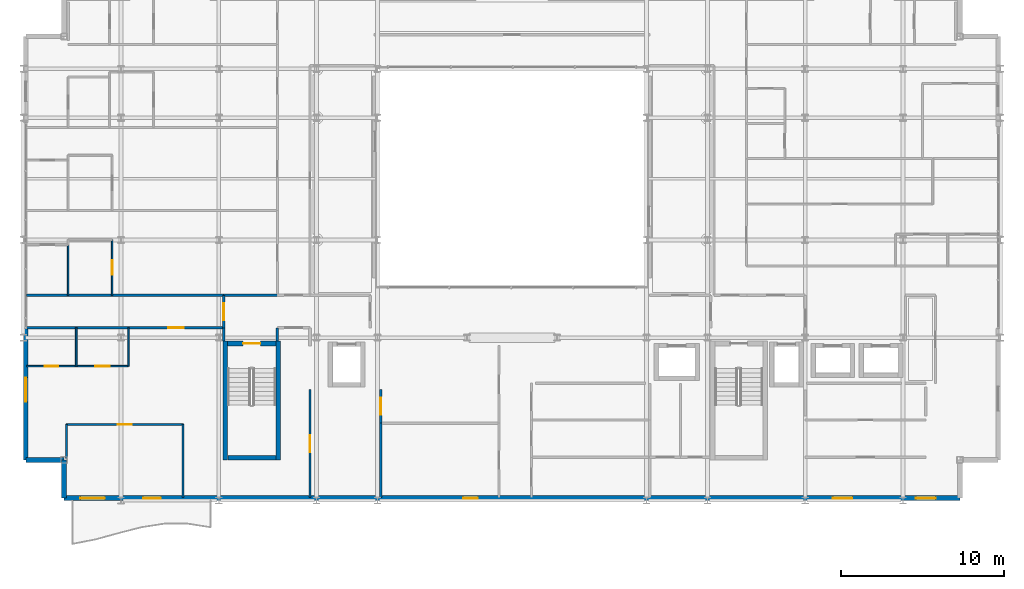
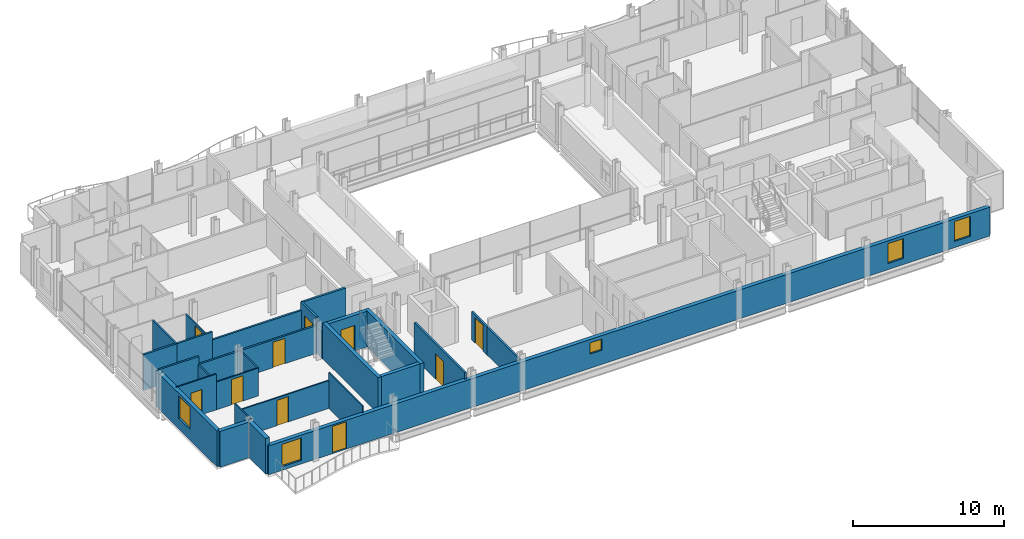
# One storey, part 33 of 41: 30 walls, 10 doors, 5 windows, 15 openings.
"""IFC4 building model written with IfcOpenShell, lengths in metres."""

from ifc_helpers import new_model, si_unit, direction, frame, frame_2d, origin, place, context, subcontext, project, spatial, rectangle, extrude, material, layer, layer_set, type_object, element, fill, save


model = new_model("IFC4")

# Units and contexts
model_context = context("Model", 3, precision=1e-05, world=origin(), true_north=direction((0.0, 1.0)))
body_context = subcontext(model_context, "Body", "Model", "MODEL_VIEW")
ifc_project = project(units=[si_unit("LENGTHUNIT", "METRE"), si_unit("AREAUNIT", "SQUARE_METRE"), si_unit("VOLUMEUNIT", "CUBIC_METRE"), si_unit("PLANEANGLEUNIT", "RADIAN"), si_unit("MASSUNIT", "GRAM", prefix="KILO")], contexts=[model_context])

# Site, building, storey
site_placement = place(None, origin())
site = spatial("IfcSite", under=ifc_project, at=site_placement, CompositionType="ELEMENT")
building_placement = place(site_placement, origin())
building = spatial("IfcBuilding", under=site, at=building_placement, Name="Brevholm Reach", CompositionType="ELEMENT")
storey_placement = place(building_placement, frame((0.0, 0.0, 151.10009765625)))
storey = spatial("IfcBuildingStorey", under=building, at=storey_placement, Name="L45", CompositionType="ELEMENT", Elevation=151.10009765625)

# Walls
ifc_material_1 = material(Name="Concrete C50/60", Category="concrete")
ifc_layer_1 = layer(ifc_material_1, 0.280029296875)
ifc_layer_set_1 = layer_set([ifc_layer_1], Name="Concrete C50/60")
wall_type_1 = type_object("IfcWallType", Name="WAL-COR-280", PredefinedType="SHEAR", material=ifc_layer_set_1)
for number, where, z_axis, x_axis, name in (
    (1, (12.409912109375, 2.5, 0.0), (0.0, 0.0, 1.0), (0.0, 1.0, 0.0), "L45 Escape Stair ST-1 Core Wall W"),
    (2, (15.639892578125, 2.5, 0.0), (0.0, 0.0, 1.0), (0.0, 1.0, 0.0), "L45 Escape Stair ST-1 Core Wall E"),
):
    element("IfcWall", number, at=place(storey_placement, frame(where, z_axis=z_axis, x_axis=x_axis)), inside=storey, type_object=wall_type_1, Name=name, PredefinedType="SHEAR", context=body_context, shape_type="SweptSolid", body=[
        extrude(rectangle(XDim=7.280029296875, YDim=0.280029296875, at=frame_2d((3.64013671875, 0.0))), origin(), (0.0, 0.0, 1.0), 2.8798828125),
    ])
wall_1_placement = place(storey_placement, frame((12.550048828125, 2.639892578125, 0.0), z_axis=(0.0, 0.0, 1.0), x_axis=(1.0, 0.0, 0.0)))
element("IfcWall", 3, at=wall_1_placement, inside=storey, type_object=wall_type_1, Name="L45 Escape Stair ST-1 Core Wall S", PredefinedType="SHEAR", context=body_context, shape_type="SweptSolid", body=[
    extrude(rectangle(XDim=2.949951171875, YDim=0.280029296875, at=frame_2d((1.47509765625, 0.0))), origin(), (0.0, 0.0, 1.0), 2.8798828125),
])

# Wall, opening, door
wall_2_placement = place(storey_placement, frame((15.5, 9.639892578125, 0.0), z_axis=(0.0, 0.0, 1.0), x_axis=(-1.0, 0.0, 0.0)))
wall_2 = element("IfcWall", 4, at=wall_2_placement, inside=storey, type_object=wall_type_1, Name="L45 Escape Stair ST-1 Core Wall N", PredefinedType="SHEAR", context=body_context, shape_type="SweptSolid", body=[
    extrude(rectangle(XDim=2.949951171875, YDim=0.280029296875, at=frame_2d((1.47509765625, 0.0))), origin(), (0.0, 0.0, 1.0), 2.8798828125),
])
opening_1_placement = place(wall_2_placement, frame((0.949951171875, 0.0, 0.0)))
opening_1 = element("IfcOpeningElement", 5, at=opening_1_placement, cuts=wall_2, Name="Opening SD-ST-1", PredefinedType="OPENING", context=body_context, shape_type="SweptSolid", body=[
    extrude(rectangle(XDim=1.050048828125, YDim=2.06005859375, at=frame_2d((0.52490234375, 1.030029296875))), frame((0.0, 0.14990234375, 0.0), z_axis=(0.0, -1.0, 0.0), x_axis=(1.0, 0.0, 0.0)), (0.0, 0.0, 1.0), 0.300048828125),
])
ifc_material_2 = material(Name="Hardwood-Lipped Steel-Core Fire and Smoke Door", Category="steel")
door_type_1 = type_object("IfcDoorType", Name="DOR-INT-FD60S", OperationType="NOTDEFINED", PredefinedType="DOOR", material=ifc_material_2)
door_1_placement = place(opening_1_placement, origin())
door_1 = element("IfcDoor", 6, at=door_1_placement, inside=storey, type_object=door_type_1, Name="L45 Protected Stair ST-1 Lobby Door", OperationType="SINGLE_SWING_LEFT", OverallHeight=2.06005859375, OverallWidth=1.050048828125, PredefinedType="DOOR", context=body_context, shape_type="SweptSolid", body=[
    extrude(rectangle(XDim=1.050048828125, YDim=2.06005859375, at=frame_2d((0.52490234375, 1.030029296875))), frame((0.0, 0.02490234375, 0.0), z_axis=(0.0, -1.0, 0.0), x_axis=(1.0, 0.0, 0.0)), (0.0, 0.0, 1.0), 0.050048828125),
])
fill(opening_1, door_1)

# Walls
ifc_material_3 = material(Name="Concrete C40/50", Category="concrete")
ifc_layer_2 = layer(ifc_material_3, 0.300048828125)
ifc_layer_set_2 = layer_set([ifc_layer_2], Name="Concrete C40/50")
wall_type_2 = type_object("IfcWallType", Name="WAL-EXT-300", PredefinedType="STANDARD", material=ifc_layer_set_2)
for number, where, z_axis, x_axis, name in (
    (7, (2.5, 2.5, 0.0), (0.0, 0.0, 1.0), (0.0, -1.0, 0.0), "L45 Facade Wall WAL-L45-CSW1"),
    (8, (0.14990234375, 2.5, 0.0), (0.0, 0.0, 1.0), (1.0, 0.0, 0.0), "L45 Facade Wall WAL-L45-CSW2"),
):
    element("IfcWall", number, at=place(storey_placement, frame(where, z_axis=z_axis, x_axis=x_axis)), inside=storey, type_object=wall_type_2, Name=name, PredefinedType="STANDARD", context=body_context, shape_type="SweptSolid", body=[
        extrude(rectangle(XDim=2.35009765625, YDim=0.300048828125, at=frame_2d((1.175048828125, 0.0))), origin(), (0.0, 0.0, 1.0), 2.8798828125),
    ])

# Wall, openings, door, windows
wall_3_placement = place(storey_placement, frame((2.5, 0.14990234375, 0.0), z_axis=(0.0, 0.0, 1.0), x_axis=(1.0, 0.0, 0.0)))
wall_3 = element("IfcWall", 9, at=wall_3_placement, inside=storey, type_object=wall_type_2, Name="L45 Facade Wall WAL-L45-S", PredefinedType="STANDARD", context=body_context, shape_type="SweptSolid", body=[
    extrude(rectangle(XDim=55.0, YDim=0.300048828125, at=frame_2d((27.5, 0.0))), origin(), (0.0, 0.0, 1.0), 2.32177734375),
])
opening_2_placement = place(wall_3_placement, frame((4.85009765625, 0.0, 0.0)))
opening_2 = element("IfcOpeningElement", 10, at=opening_2_placement, cuts=wall_3, Name="Opening BD-01", PredefinedType="OPENING", context=body_context, shape_type="SweptSolid", body=[
    extrude(rectangle(XDim=1.10009765625, YDim=2.199951171875, at=frame_2d((0.550048828125, 1.10009765625))), frame((0.0, 0.159912109375, 0.0), z_axis=(0.0, -1.0, 0.0), x_axis=(1.0, 0.0, 0.0)), (0.0, 0.0, 1.0), 0.320068359375),
])
opening_3_placement = place(wall_3_placement, frame((1.0, 0.0, 0.302001953125)))
opening_3 = element("IfcOpeningElement", 11, at=opening_3_placement, cuts=wall_3, Name="Opening WN-05", PredefinedType="OPENING", context=body_context, shape_type="SweptSolid", body=[
    extrude(rectangle(XDim=1.5, YDim=1.800048828125, at=frame_2d((0.75, 0.89990234375))), frame((0.0, 0.159912109375, 0.0), z_axis=(0.0, -1.0, 0.0), x_axis=(1.0, 0.0, 0.0)), (0.0, 0.0, 1.0), 0.320068359375),
])
opening_4_placement = place(wall_3_placement, frame((24.5, 0.0, 1.14990234375)))
opening_4 = element("IfcOpeningElement", 12, at=opening_4_placement, cuts=wall_3, Name="Opening WN-09", PredefinedType="OPENING", context=body_context, shape_type="SweptSolid", body=[
    extrude(rectangle(XDim=0.89990234375, YDim=0.89990234375, at=frame_2d((0.449951171875, 0.449951171875))), frame((0.0, 0.159912109375, 0.0), z_axis=(0.0, -1.0, 0.0), x_axis=(1.0, 0.0, 0.0)), (0.0, 0.0, 1.0), 0.320068359375),
])
opening_5_placement = place(wall_3_placement, frame((47.199951171875, 0.0, 0.501953125)))
opening_5 = element("IfcOpeningElement", 13, at=opening_5_placement, cuts=wall_3, Name="Opening WN-08", PredefinedType="OPENING", context=body_context, shape_type="SweptSolid", body=[
    extrude(rectangle(XDim=1.199951171875, YDim=1.60009765625, at=frame_2d((0.60009765625, 0.800048828125))), frame((0.0, 0.159912109375, 0.0), z_axis=(0.0, -1.0, 0.0), x_axis=(1.0, 0.0, 0.0)), (0.0, 0.0, 1.0), 0.320068359375),
])
opening_6_placement = place(wall_3_placement, frame((52.300048828125, 0.0, 0.501953125)))
opening_6 = element("IfcOpeningElement", 14, at=opening_6_placement, cuts=wall_3, Name="Opening WN-08", PredefinedType="OPENING", context=body_context, shape_type="SweptSolid", body=[
    extrude(rectangle(XDim=1.199951171875, YDim=1.60009765625, at=frame_2d((0.60009765625, 0.800048828125))), frame((0.0, 0.159912109375, 0.0), z_axis=(0.0, -1.0, 0.0), x_axis=(1.0, 0.0, 0.0)), (0.0, 0.0, 1.0), 0.320068359375),
])
ifc_material_4 = material(Name="Dark Anodised Aluminium and Triple-Glazed Glass", Category="aluminium")
door_type_2 = type_object("IfcDoorType", Name="DOR-BALC-1100", OperationType="NOTDEFINED", PredefinedType="DOOR", material=ifc_material_4)
door_2_placement = place(opening_2_placement, origin())
door_2 = element("IfcDoor", 15, at=door_2_placement, inside=storey, type_object=door_type_2, Name="L45 Exterior Door DOR-L45-BL-SW", OperationType="SINGLE_SWING_LEFT", OverallHeight=2.199951171875, OverallWidth=1.10009765625, PredefinedType="DOOR", context=body_context, shape_type="SweptSolid", body=[
    extrude(rectangle(XDim=1.10009765625, YDim=2.199951171875, at=frame_2d((0.550048828125, 1.10009765625))), frame((0.0, 0.02490234375, 0.0), z_axis=(0.0, -1.0, 0.0), x_axis=(1.0, 0.0, 0.0)), (0.0, 0.0, 1.0), 0.050048828125),
])
fill(opening_2, door_2)
ifc_material_5 = material(Name="Dark Anodised Aluminium and Solar-Control IGU Glass", Category="aluminium")
window_type_1 = type_object("IfcWindowType", Name="WIN-POR-0900", PartitioningType="SINGLE_PANEL", PredefinedType="WINDOW", material=ifc_material_5)
window_1_placement = place(opening_4_placement, origin())
window_1 = element("IfcWindow", 16, at=window_1_placement, inside=storey, type_object=window_type_1, Name="L45 Window WIN-L45-S-POR", OverallHeight=0.89990234375, OverallWidth=0.89990234375, PartitioningType="SINGLE_PANEL", PredefinedType="WINDOW", context=body_context, shape_type="SweptSolid", body=[
    extrude(rectangle(XDim=0.89990234375, YDim=0.89990234375, at=frame_2d((0.449951171875, 0.449951171875))), frame((0.0, 0.030029296875, 0.0), z_axis=(0.0, -1.0, 0.0), x_axis=(1.0, 0.0, 0.0)), (0.0, 0.0, 1.0), 0.06005859375),
])
fill(opening_4, window_1)
ifc_material_6 = material(Name="Dark Anodised Aluminium and Solar-Control IGU Glass", Category="aluminium")
window_type_2 = type_object("IfcWindowType", Name="WIN-RES-1200", PartitioningType="SINGLE_PANEL", PredefinedType="WINDOW", material=ifc_material_6)
window_2_placement = place(opening_5_placement, origin())
window_2 = element("IfcWindow", 17, at=window_2_placement, inside=storey, type_object=window_type_2, Name="L45 Window WIN-L45-S-E1", OverallHeight=1.60009765625, OverallWidth=1.199951171875, PartitioningType="SINGLE_PANEL", PredefinedType="WINDOW", context=body_context, shape_type="SweptSolid", body=[
    extrude(rectangle(XDim=1.199951171875, YDim=1.60009765625, at=frame_2d((0.60009765625, 0.800048828125))), frame((0.0, 0.030029296875, 0.0), z_axis=(0.0, -1.0, 0.0), x_axis=(1.0, 0.0, 0.0)), (0.0, 0.0, 1.0), 0.06005859375),
])
fill(opening_5, window_2)
window_3_placement = place(opening_6_placement, origin())
window_3 = element("IfcWindow", 18, at=window_3_placement, inside=storey, type_object=window_type_2, Name="L45 Window WIN-L45-S-E2", OverallHeight=1.60009765625, OverallWidth=1.199951171875, PartitioningType="SINGLE_PANEL", PredefinedType="WINDOW", context=body_context, shape_type="SweptSolid", body=[
    extrude(rectangle(XDim=1.199951171875, YDim=1.60009765625, at=frame_2d((0.60009765625, 0.800048828125))), frame((0.0, 0.030029296875, 0.0), z_axis=(0.0, -1.0, 0.0), x_axis=(1.0, 0.0, 0.0)), (0.0, 0.0, 1.0), 0.06005859375),
])
fill(opening_6, window_3)
ifc_material_7 = material(Name="Dark Anodised Aluminium and Solar-Control IGU Glass", Category="aluminium")
window_type_3 = type_object("IfcWindowType", Name="WIN-RES-1500", PartitioningType="SINGLE_PANEL", PredefinedType="WINDOW", material=ifc_material_7)
window_4_placement = place(opening_3_placement, origin())
window_4 = element("IfcWindow", 19, at=window_4_placement, inside=storey, type_object=window_type_3, Name="L45 Window WIN-L45-S-W1", OverallHeight=1.800048828125, OverallWidth=1.5, PartitioningType="SINGLE_PANEL", PredefinedType="WINDOW", context=body_context, shape_type="SweptSolid", body=[
    extrude(rectangle(XDim=1.5, YDim=1.800048828125, at=frame_2d((0.75, 0.89990234375))), frame((0.0, 0.030029296875, 0.0), z_axis=(0.0, -1.0, 0.0), x_axis=(1.0, 0.0, 0.0)), (0.0, 0.0, 1.0), 0.06005859375),
])
fill(opening_3, window_4)

# Wall, opening, window
wall_4_placement = place(storey_placement, frame((0.14990234375, 10.550048828125, 0.0), z_axis=(0.0, 0.0, 1.0), x_axis=(0.0, -1.0, 0.0)))
wall_4 = element("IfcWall", 20, at=wall_4_placement, inside=storey, type_object=wall_type_2, Name="L45 Facade Wall WAL-L45-W-S", PredefinedType="STANDARD", context=body_context, shape_type="SweptSolid", body=[
    extrude(rectangle(XDim=8.050048828125, YDim=0.300048828125, at=frame_2d((4.02490234375, 0.0))), origin(), (0.0, 0.0, 1.0), 2.8798828125),
])
opening_7_placement = place(wall_4_placement, frame((3.0, 0.0, 0.860107421875)))
opening_7 = element("IfcOpeningElement", 21, at=opening_7_placement, cuts=wall_4, Name="Opening WN-05", PredefinedType="OPENING", context=body_context, shape_type="SweptSolid", body=[
    extrude(rectangle(XDim=1.5, YDim=1.800048828125, at=frame_2d((0.75, 0.89990234375))), frame((0.0, 0.159912109375, 0.0), z_axis=(0.0, -1.0, 0.0), x_axis=(1.0, 0.0, 0.0)), (0.0, 0.0, 1.0), 0.320068359375),
])
window_5_placement = place(opening_7_placement, origin())
window_5 = element("IfcWindow", 22, at=window_5_placement, inside=storey, type_object=window_type_3, Name="L45 Window WIN-L45-WS-1", OverallHeight=1.800048828125, OverallWidth=1.5, PartitioningType="SINGLE_PANEL", PredefinedType="WINDOW", context=body_context, shape_type="SweptSolid", body=[
    extrude(rectangle(XDim=1.5, YDim=1.800048828125, at=frame_2d((0.75, 0.89990234375))), frame((0.0, 0.030029296875, 0.0), z_axis=(0.0, -1.0, 0.0), x_axis=(1.0, 0.0, 0.0)), (0.0, 0.0, 1.0), 0.06005859375),
])
fill(opening_7, window_5)

# Wall
ifc_material_8 = material(Name="Moisture-Resistant Acoustic Gypsum Stud Partition 100 mm", Category="gypsum")
ifc_layer_3 = layer(ifc_material_8, 0.10009765625)
ifc_layer_set_3 = layer_set([ifc_layer_3], Name="Moisture-Resistant Acoustic Gypsum Stud Partition 100 mm")
wall_type_3 = type_object("IfcWallType", Name="WAL-PRT-100", PredefinedType="PARTITIONING", material=ifc_layer_set_3)
wall_5_placement = place(storey_placement, frame((3.25, 8.25, 0.0), z_axis=(0.0, 0.0, 1.0), x_axis=(0.0, 1.0, 0.0)))
element("IfcWall", 23, at=wall_5_placement, inside=storey, type_object=wall_type_3, Name="L45 Internal Partition 062", PredefinedType="PARTITIONING", context=body_context, shape_type="SweptSolid", body=[
    extrude(rectangle(XDim=2.345947265625, YDim=0.10009765625, at=frame_2d((1.1728515625, 0.0))), origin(), (0.0, 0.0, 1.0), 2.24267578125),
])

# Wall, opening, door
wall_6_placement = place(storey_placement, frame((0.199951171875, 8.25, 0.0), z_axis=(0.0, 0.0, 1.0), x_axis=(1.0, 0.0, 0.0)))
wall_6 = element("IfcWall", 24, at=wall_6_placement, inside=storey, type_object=wall_type_3, Name="L45 Internal Partition 063", PredefinedType="PARTITIONING", context=body_context, shape_type="SweptSolid", body=[
    extrude(rectangle(XDim=3.050048828125, YDim=0.10009765625, at=frame_2d((1.52490234375, 0.0))), origin(), (0.0, 0.0, 1.0), 2.8798828125),
])
opening_8_placement = place(wall_6_placement, frame((1.114990234375, 0.0, 0.0)))
opening_8 = element("IfcOpeningElement", 25, at=opening_8_placement, cuts=wall_6, Name="Opening ID-03", PredefinedType="OPENING", context=body_context, shape_type="SweptSolid", body=[
    extrude(rectangle(XDim=0.820068359375, YDim=2.02001953125, at=frame_2d((0.41015625, 1.010009765625))), frame((0.0, 0.06005859375, 0.0), z_axis=(0.0, -1.0, 0.0), x_axis=(1.0, 0.0, 0.0)), (0.0, 0.0, 1.0), 0.1201171875),
])
ifc_material_9 = material(Name="Moisture-Resistant Painted Timber Internal Bathroom Door", Category="wood")
door_type_3 = type_object("IfcDoorType", Name="DOR-BATH-820", OperationType="NOTDEFINED", PredefinedType="DOOR", material=ifc_material_9)
door_3_placement = place(opening_8_placement, origin())
door_3 = element("IfcDoor", 26, at=door_3_placement, inside=storey, type_object=door_type_3, Name="L45 Internal Door 031", OperationType="SINGLE_SWING_LEFT", OverallHeight=2.02001953125, OverallWidth=0.820068359375, PredefinedType="DOOR", context=body_context, shape_type="SweptSolid", body=[
    extrude(rectangle(XDim=0.820068359375, YDim=2.02001953125, at=frame_2d((0.41015625, 1.010009765625))), frame((0.0, 0.02490234375, 0.0), z_axis=(0.0, -1.0, 0.0), x_axis=(1.0, 0.0, 0.0)), (0.0, 0.0, 1.0), 0.050048828125),
])
fill(opening_8, door_3)

wall_7_placement = place(storey_placement, frame((3.25390625, 8.25, 0.0), z_axis=(0.0, 0.0, 1.0), x_axis=(1.0, 0.0, 0.0)))
wall_7 = element("IfcWall", 27, at=wall_7_placement, inside=storey, type_object=wall_type_3, Name="L45 Internal Partition 064", PredefinedType="PARTITIONING", context=body_context, shape_type="SweptSolid", body=[
    extrude(rectangle(XDim=3.196044921875, YDim=0.10009765625, at=frame_2d((1.59814453125, 0.0))), origin(), (0.0, 0.0, 1.0), 2.24267578125),
])
opening_9_placement = place(wall_7_placement, frame((1.157958984375, 0.0, 0.0)))
opening_9 = element("IfcOpeningElement", 28, at=opening_9_placement, cuts=wall_7, Name="Opening ID-01", PredefinedType="OPENING", context=body_context, shape_type="SweptSolid", body=[
    extrude(rectangle(XDim=0.8798828125, YDim=2.0400390625, at=frame_2d((0.43994140625, 1.02001953125))), frame((0.0, 0.06005859375, 0.0), z_axis=(0.0, -1.0, 0.0), x_axis=(1.0, 0.0, 0.0)), (0.0, 0.0, 1.0), 0.1201171875),
])
ifc_material_10 = material(Name="Lacquered Ash Solid-Core Acoustic Internal Door", Category="timber")
door_type_4 = type_object("IfcDoorType", Name="DOR-INT-880", OperationType="NOTDEFINED", PredefinedType="DOOR", material=ifc_material_10)
door_4_placement = place(opening_9_placement, origin())
door_4 = element("IfcDoor", 29, at=door_4_placement, inside=storey, type_object=door_type_4, Name="L45 Internal Door 032", OperationType="SINGLE_SWING_RIGHT", OverallHeight=2.0400390625, OverallWidth=0.8798828125, PredefinedType="DOOR", context=body_context, shape_type="SweptSolid", body=[
    extrude(rectangle(XDim=0.8798828125, YDim=2.0400390625, at=frame_2d((0.43994140625, 1.02001953125))), frame((0.0, 0.02490234375, 0.0), z_axis=(0.0, -1.0, 0.0), x_axis=(1.0, 0.0, 0.0)), (0.0, 0.0, 1.0), 0.050048828125),
])
fill(opening_9, door_4)

# Walls
wall_8_placement = place(storey_placement, frame((6.449951171875, 8.25, 0.0), z_axis=(0.0, 0.0, 1.0), x_axis=(0.0, 1.0, 0.0)))
element("IfcWall", 30, at=wall_8_placement, inside=storey, type_object=wall_type_3, Name="L45 Internal Partition 065", PredefinedType="PARTITIONING", context=body_context, shape_type="SweptSolid", body=[
    extrude(rectangle(XDim=2.345947265625, YDim=0.10009765625, at=frame_2d((1.1728515625, 0.0))), origin(), (0.0, 0.0, 1.0), 2.24267578125),
])
wall_9_placement = place(storey_placement, frame((2.64990234375, 2.599365234375, 0.0), z_axis=(0.0, 0.0, 1.0), x_axis=(0.0, 1.0, 0.0)))
element("IfcWall", 31, at=wall_9_placement, inside=storey, type_object=wall_type_3, Name="L45 Internal Partition 066", PredefinedType="PARTITIONING", context=body_context, shape_type="SweptSolid", body=[
    extrude(rectangle(XDim=2.07275390625, YDim=0.10009765625, at=frame_2d((1.036376953125, 0.0))), origin(), (0.0, 0.0, 1.0), 2.8798828125),
])
wall_10_placement = place(storey_placement, frame((9.805908203125, 0.199951171875, 0.0), z_axis=(0.0, 0.0, 1.0), x_axis=(0.0, 1.0, 0.0)))
element("IfcWall", 32, at=wall_10_placement, inside=storey, type_object=wall_type_3, Name="L45 Internal Partition 067", PredefinedType="PARTITIONING", context=body_context, shape_type="SweptSolid", body=[
    extrude(rectangle(XDim=4.47216796875, YDim=0.10009765625, at=frame_2d((2.236083984375, 0.0))), origin(), (0.0, 0.0, 1.0), 2.8798828125),
])

# Wall, opening, door
wall_11_placement = place(storey_placement, frame((2.64990234375, 4.672119140625, 0.0), z_axis=(0.0, 0.0, 1.0), x_axis=(1.0, 0.0, 0.0)))
wall_11 = element("IfcWall", 33, at=wall_11_placement, inside=storey, type_object=wall_type_3, Name="L45 Internal Partition 068", PredefinedType="PARTITIONING", context=body_context, shape_type="SweptSolid", body=[
    extrude(rectangle(XDim=7.156005859375, YDim=0.10009765625, at=frame_2d((3.578125, 0.0))), origin(), (0.0, 0.0, 1.0), 2.24267578125),
])
opening_10_placement = place(wall_11_placement, frame((3.137939453125, 0.0, 0.0)))
opening_10 = element("IfcOpeningElement", 34, at=opening_10_placement, cuts=wall_11, Name="Opening ID-01", PredefinedType="OPENING", context=body_context, shape_type="SweptSolid", body=[
    extrude(rectangle(XDim=0.8798828125, YDim=2.0400390625, at=frame_2d((0.43994140625, 1.02001953125))), frame((0.0, 0.06005859375, 0.0), z_axis=(0.0, -1.0, 0.0), x_axis=(1.0, 0.0, 0.0)), (0.0, 0.0, 1.0), 0.1201171875),
])
door_5_placement = place(opening_10_placement, origin())
door_5 = element("IfcDoor", 35, at=door_5_placement, inside=storey, type_object=door_type_4, Name="L45 Internal Door 033", OperationType="SINGLE_SWING_LEFT", OverallHeight=2.0400390625, OverallWidth=0.8798828125, PredefinedType="DOOR", context=body_context, shape_type="SweptSolid", body=[
    extrude(rectangle(XDim=0.8798828125, YDim=2.0400390625, at=frame_2d((0.43994140625, 1.02001953125))), frame((0.0, 0.02490234375, 0.0), z_axis=(0.0, -1.0, 0.0), x_axis=(1.0, 0.0, 0.0)), (0.0, 0.0, 1.0), 0.050048828125),
])
fill(opening_10, door_5)

# Wall
wall_12_placement = place(storey_placement, frame((2.75, 12.60400390625, 0.0), z_axis=(0.0, 0.0, 1.0), x_axis=(0.0, 1.0, 0.0)))
element("IfcWall", 36, at=wall_12_placement, inside=storey, type_object=wall_type_3, Name="L45 Internal Partition 069", PredefinedType="PARTITIONING", context=body_context, shape_type="SweptSolid", body=[
    extrude(rectangle(XDim=3.095947265625, YDim=0.10009765625, at=frame_2d((1.5478515625, 0.0))), origin(), (0.0, 0.0, 1.0), 2.8798828125),
])

# Wall, opening, door
wall_13_placement = place(storey_placement, frame((5.449951171875, 12.60400390625, 0.0), z_axis=(0.0, 0.0, 1.0), x_axis=(0.0, 1.0, 0.0)))
wall_13 = element("IfcWall", 37, at=wall_13_placement, inside=storey, type_object=wall_type_3, Name="L45 Internal Partition 071", PredefinedType="PARTITIONING", context=body_context, shape_type="SweptSolid", body=[
    extrude(rectangle(XDim=3.39599609375, YDim=0.10009765625, at=frame_2d((1.697998046875, 0.0))), origin(), (0.0, 0.0, 1.0), 2.24267578125),
])
opening_11_placement = place(wall_13_placement, frame((1.258056640625, 0.0, 0.0)))
opening_11 = element("IfcOpeningElement", 38, at=opening_11_placement, cuts=wall_13, Name="Opening ID-01", PredefinedType="OPENING", context=body_context, shape_type="SweptSolid", body=[
    extrude(rectangle(XDim=0.8798828125, YDim=2.0400390625, at=frame_2d((0.43994140625, 1.02001953125))), frame((0.0, 0.06005859375, 0.0), z_axis=(0.0, -1.0, 0.0), x_axis=(1.0, 0.0, 0.0)), (0.0, 0.0, 1.0), 0.1201171875),
])
door_6_placement = place(opening_11_placement, origin())
door_6 = element("IfcDoor", 39, at=door_6_placement, inside=storey, type_object=door_type_4, Name="L45 Internal Door 035", OperationType="SINGLE_SWING_LEFT", OverallHeight=2.0400390625, OverallWidth=0.8798828125, PredefinedType="DOOR", context=body_context, shape_type="SweptSolid", body=[
    extrude(rectangle(XDim=0.8798828125, YDim=2.0400390625, at=frame_2d((0.43994140625, 1.02001953125))), frame((0.0, 0.02490234375, 0.0), z_axis=(0.0, -1.0, 0.0), x_axis=(1.0, 0.0, 0.0)), (0.0, 0.0, 1.0), 0.050048828125),
])
fill(opening_11, door_6)

# Wall
ifc_material_11 = material(Name="Twin-Stud Acoustic Fire-Rated Gypsum Partition 140 mm", Category="gypsum")
ifc_layer_4 = layer(ifc_material_11, 0.139892578125)
ifc_layer_set_4 = layer_set([ifc_layer_4], Name="Twin-Stud Acoustic Fire-Rated Gypsum Partition 140 mm")
wall_type_4 = type_object("IfcWallType", Name="WAL-PRT-140", PredefinedType="PARTITIONING", material=ifc_layer_set_4)
wall_14_placement = place(storey_placement, frame((21.949951171875, 0.179931640625, 0.0), z_axis=(0.0, 0.0, 1.0), x_axis=(0.0, 1.0, 0.0)))
element("IfcWall", 40, at=wall_14_placement, inside=storey, type_object=wall_type_4, Name="L45 Internal Partition 007", PredefinedType="PARTITIONING", context=body_context, shape_type="SweptSolid", body=[
    extrude(rectangle(XDim=4.567138671875, YDim=0.139892578125, at=frame_2d((2.28369140625, 0.0))), origin(), (0.0, 0.0, 1.0), 2.24267578125),
])

# Wall, opening, door
wall_15_placement = place(storey_placement, frame((21.949951171875, 4.7509765625, 0.0), z_axis=(0.0, 0.0, 1.0), x_axis=(0.0, 1.0, 0.0)))
wall_15 = element("IfcWall", 41, at=wall_15_placement, inside=storey, type_object=wall_type_4, Name="L45 Internal Partition 008", PredefinedType="PARTITIONING", context=body_context, shape_type="SweptSolid", body=[
    extrude(rectangle(XDim=2.060302734375, YDim=0.139892578125, at=frame_2d((1.0302734375, 0.0))), origin(), (0.0, 0.0, 1.0), 2.24267578125),
])
opening_12_placement = place(wall_15_placement, frame((0.505126953125, 0.0, 0.0)))
opening_12 = element("IfcOpeningElement", 42, at=opening_12_placement, cuts=wall_15, Name="Opening FD-01", PredefinedType="OPENING", context=body_context, shape_type="SweptSolid", body=[
    extrude(rectangle(XDim=1.050048828125, YDim=2.06005859375, at=frame_2d((0.52490234375, 1.030029296875))), frame((0.0, 0.079833984375, 0.0), z_axis=(0.0, -1.0, 0.0), x_axis=(1.0, 0.0, 0.0)), (0.0, 0.0, 1.0), 0.159912109375),
])
door_7_placement = place(opening_12_placement, origin())
door_7 = element("IfcDoor", 43, at=door_7_placement, inside=storey, type_object=door_type_1, Name="L45 Internal Door 006", OperationType="SINGLE_SWING_RIGHT", OverallHeight=2.06005859375, OverallWidth=1.050048828125, PredefinedType="DOOR", context=body_context, shape_type="SweptSolid", body=[
    extrude(rectangle(XDim=1.050048828125, YDim=2.06005859375, at=frame_2d((0.52490234375, 1.030029296875))), frame((0.0, 0.02490234375, 0.0), z_axis=(0.0, -1.0, 0.0), x_axis=(1.0, 0.0, 0.0)), (0.0, 0.0, 1.0), 0.050048828125),
])
fill(opening_12, door_7)

wall_16_placement = place(storey_placement, frame((17.60009765625, 0.179931640625, 0.0), z_axis=(0.0, 0.0, 1.0), x_axis=(0.0, 1.0, 0.0)))
wall_16 = element("IfcWall", 44, at=wall_16_placement, inside=storey, type_object=wall_type_4, Name="L45 Internal Partition 018", PredefinedType="PARTITIONING", context=body_context, shape_type="SweptSolid", body=[
    extrude(rectangle(XDim=6.63134765625, YDim=0.139892578125, at=frame_2d((3.315673828125, 0.0))), origin(), (0.0, 0.0, 1.0), 2.8798828125),
])
opening_13_placement = place(wall_16_placement, frame((2.790771484375, 0.0, 0.0)))
opening_13 = element("IfcOpeningElement", 45, at=opening_13_placement, cuts=wall_16, Name="Opening FD-01", PredefinedType="OPENING", context=body_context, shape_type="SweptSolid", body=[
    extrude(rectangle(XDim=1.050048828125, YDim=2.06005859375, at=frame_2d((0.52490234375, 1.030029296875))), frame((0.0, 0.079833984375, 0.0), z_axis=(0.0, -1.0, 0.0), x_axis=(1.0, 0.0, 0.0)), (0.0, 0.0, 1.0), 0.159912109375),
])
door_8_placement = place(opening_13_placement, origin())
door_8 = element("IfcDoor", 46, at=door_8_placement, inside=storey, type_object=door_type_1, Name="L45 Internal Door 011", OperationType="SINGLE_SWING_LEFT", OverallHeight=2.06005859375, OverallWidth=1.050048828125, PredefinedType="DOOR", context=body_context, shape_type="SweptSolid", body=[
    extrude(rectangle(XDim=1.050048828125, YDim=2.06005859375, at=frame_2d((0.52490234375, 1.030029296875))), frame((0.0, 0.02490234375, 0.0), z_axis=(0.0, -1.0, 0.0), x_axis=(1.0, 0.0, 0.0)), (0.0, 0.0, 1.0), 0.050048828125),
])
fill(opening_13, door_8)

# Walls
wall_17_placement = place(storey_placement, frame((0.199951171875, 10.60009765625, 0.0), z_axis=(0.0, 0.0, 1.0), x_axis=(1.0, 0.0, 0.0)))
element("IfcWall", 47, at=wall_17_placement, inside=storey, type_object=wall_type_4, Name="L45 Internal Partition 056", PredefinedType="PARTITIONING", context=body_context, shape_type="SweptSolid", body=[
    extrude(rectangle(XDim=3.061279296875, YDim=0.139892578125, at=frame_2d((1.53076171875, 0.0))), origin(), (0.0, 0.0, 1.0), 2.8798828125),
])
wall_18_placement = place(storey_placement, frame((3.24267578125, 10.60009765625, 0.0), z_axis=(0.0, 0.0, 1.0), x_axis=(1.0, 0.0, 0.0)))
element("IfcWall", 48, at=wall_18_placement, inside=storey, type_object=wall_type_4, Name="L45 Internal Partition 057", PredefinedType="PARTITIONING", context=body_context, shape_type="SweptSolid", body=[
    extrude(rectangle(XDim=3.218505859375, YDim=0.139892578125, at=frame_2d((1.609375, 0.0))), origin(), (0.0, 0.0, 1.0), 2.24267578125),
])

# Wall, opening, door
wall_19_placement = place(storey_placement, frame((6.442626953125, 10.60009765625, 0.0), z_axis=(0.0, 0.0, 1.0), x_axis=(1.0, 0.0, 0.0)))
wall_19 = element("IfcWall", 49, at=wall_19_placement, inside=storey, type_object=wall_type_4, Name="L45 Internal Partition 058", PredefinedType="PARTITIONING", context=body_context, shape_type="SweptSolid", body=[
    extrude(rectangle(XDim=5.853271484375, YDim=0.139892578125, at=frame_2d((2.9267578125, 0.0))), origin(), (0.0, 0.0, 1.0), 2.24267578125),
])
opening_14_placement = place(wall_19_placement, frame((2.45166015625, 0.0, 0.0)))
opening_14 = element("IfcOpeningElement", 50, at=opening_14_placement, cuts=wall_19, Name="Opening ID-30", PredefinedType="OPENING", context=body_context, shape_type="SweptSolid", body=[
    extrude(rectangle(XDim=0.949951171875, YDim=2.050048828125, at=frame_2d((0.47509765625, 1.02490234375))), frame((0.0, 0.079833984375, 0.0), z_axis=(0.0, -1.0, 0.0), x_axis=(1.0, 0.0, 0.0)), (0.0, 0.0, 1.0), 0.159912109375),
])
ifc_material_12 = material(Name="European Oak Veneered Solid-Core Fire Entrance Door", Category="timber")
door_type_5 = type_object("IfcDoorType", Name="DOR-FLT-FD30S", OperationType="NOTDEFINED", PredefinedType="DOOR", material=ifc_material_12)
door_9_placement = place(opening_14_placement, origin())
door_9 = element("IfcDoor", 51, at=door_9_placement, inside=storey, type_object=door_type_5, Name="L45 Internal Door 030", OperationType="SINGLE_SWING_RIGHT", OverallHeight=2.050048828125, OverallWidth=0.949951171875, PredefinedType="DOOR", context=body_context, shape_type="SweptSolid", body=[
    extrude(rectangle(XDim=0.949951171875, YDim=2.050048828125, at=frame_2d((0.47509765625, 1.02490234375))), frame((0.0, 0.02490234375, 0.0), z_axis=(0.0, -1.0, 0.0), x_axis=(1.0, 0.0, 0.0)), (0.0, 0.0, 1.0), 0.050048828125),
])
fill(opening_14, door_9)

# Walls
wall_20_placement = place(storey_placement, frame((0.199951171875, 12.60009765625, 0.0), z_axis=(0.0, 0.0, 1.0), x_axis=(1.0, 0.0, 0.0)))
element("IfcWall", 52, at=wall_20_placement, inside=storey, type_object=wall_type_4, Name="L45 Internal Partition 059", PredefinedType="PARTITIONING", context=body_context, shape_type="SweptSolid", body=[
    extrude(rectangle(XDim=2.561279296875, YDim=0.139892578125, at=frame_2d((1.28076171875, 0.0))), origin(), (0.0, 0.0, 1.0), 2.8798828125),
])
wall_21_placement = place(storey_placement, frame((2.74267578125, 12.60009765625, 0.0), z_axis=(0.0, 0.0, 1.0), x_axis=(1.0, 0.0, 0.0)))
element("IfcWall", 53, at=wall_21_placement, inside=storey, type_object=wall_type_4, Name="L45 Internal Partition 060", PredefinedType="PARTITIONING", context=body_context, shape_type="SweptSolid", body=[
    extrude(rectangle(XDim=2.718505859375, YDim=0.139892578125, at=frame_2d((1.359375, 0.0))), origin(), (0.0, 0.0, 1.0), 2.8798828125),
])
wall_22_placement = place(storey_placement, frame((5.442626953125, 12.60009765625, 0.0), z_axis=(0.0, 0.0, 1.0), x_axis=(1.0, 0.0, 0.0)))
element("IfcWall", 54, at=wall_22_placement, inside=storey, type_object=wall_type_4, Name="L45 Internal Partition 061", PredefinedType="PARTITIONING", context=body_context, shape_type="SweptSolid", body=[
    extrude(rectangle(XDim=6.853271484375, YDim=0.139892578125, at=frame_2d((3.4267578125, 0.0))), origin(), (0.0, 0.0, 1.0), 2.24267578125),
])
ifc_material_13 = material(Name="Twin-Frame Fire-Rated Gypsum Board and Mineral Wool 160 mm", Category="gypsum")
ifc_layer_5 = layer(ifc_material_13, 0.159912109375)
ifc_layer_set_5 = layer_set([ifc_layer_5], Name="Twin-Frame Fire-Rated Gypsum Board and Mineral Wool 160 mm")
wall_type_5 = type_object("IfcWallType", Name="WAL-PRT-160", PredefinedType="PARTITIONING", material=ifc_layer_set_5)
wall_23_placement = place(storey_placement, frame((15.60009765625, 9.7900390625, 0.0), z_axis=(0.0, 0.0, 1.0), x_axis=(0.0, 1.0, 0.0)))
element("IfcWall", 55, at=wall_23_placement, inside=storey, type_object=wall_type_5, Name="L45 Internal Partition 019", PredefinedType="PARTITIONING", context=body_context, shape_type="SweptSolid", body=[
    extrude(rectangle(XDim=0.81005859375, YDim=0.159912109375, at=frame_2d((0.405029296875, 0.0))), origin(), (0.0, 0.0, 1.0), 2.24267578125),
])

# Wall, opening, door
wall_24_placement = place(storey_placement, frame((12.300048828125, 10.588623046875, 0.0), z_axis=(0.0, 0.0, 1.0), x_axis=(0.0, 1.0, 0.0)))
wall_24 = element("IfcWall", 56, at=wall_24_placement, inside=storey, type_object=wall_type_5, Name="L45 Internal Partition 027", PredefinedType="PARTITIONING", context=body_context, shape_type="SweptSolid", body=[
    extrude(rectangle(XDim=2.011474609375, YDim=0.159912109375, at=frame_2d((1.005859375, 0.0))), origin(), (0.0, 0.0, 1.0), 2.8798828125),
])
opening_15_placement = place(wall_24_placement, frame((0.480712890625, 0.0, 0.0)))
opening_15 = element("IfcOpeningElement", 57, at=opening_15_placement, cuts=wall_24, Name="Opening FD-01", PredefinedType="OPENING", context=body_context, shape_type="SweptSolid", body=[
    extrude(rectangle(XDim=1.050048828125, YDim=2.06005859375, at=frame_2d((0.52490234375, 1.030029296875))), frame((0.0, 0.08984375, 0.0), z_axis=(0.0, -1.0, 0.0), x_axis=(1.0, 0.0, 0.0)), (0.0, 0.0, 1.0), 0.179931640625),
])
door_10_placement = place(opening_15_placement, origin())
door_10 = element("IfcDoor", 58, at=door_10_placement, inside=storey, type_object=door_type_1, Name="L45 Internal Door 015", OperationType="SINGLE_SWING_LEFT", OverallHeight=2.06005859375, OverallWidth=1.050048828125, PredefinedType="DOOR", context=body_context, shape_type="SweptSolid", body=[
    extrude(rectangle(XDim=1.050048828125, YDim=2.06005859375, at=frame_2d((0.52490234375, 1.030029296875))), frame((0.0, 0.02490234375, 0.0), z_axis=(0.0, -1.0, 0.0), x_axis=(1.0, 0.0, 0.0)), (0.0, 0.0, 1.0), 0.050048828125),
])
fill(opening_15, door_10)

# Walls
wall_25_placement = place(storey_placement, frame((12.300048828125, 9.7900390625, 0.0), z_axis=(0.0, 0.0, 1.0), x_axis=(0.0, 1.0, 0.0)))
element("IfcWall", 59, at=wall_25_placement, inside=storey, type_object=wall_type_5, Name="L45 Internal Partition 028", PredefinedType="PARTITIONING", context=body_context, shape_type="SweptSolid", body=[
    extrude(rectangle(XDim=0.8173828125, YDim=0.159912109375, at=frame_2d((0.40869140625, 0.0))), origin(), (0.0, 0.0, 1.0), 2.24267578125),
])
wall_26_placement = place(storey_placement, frame((12.300048828125, 12.60009765625, 0.0), z_axis=(0.0, 0.0, 1.0), x_axis=(1.0, 0.0, 0.0)))
element("IfcWall", 60, at=wall_26_placement, inside=storey, type_object=wall_type_5, Name="L45 Internal Partition 029", PredefinedType="PARTITIONING", context=body_context, shape_type="SweptSolid", body=[
    extrude(rectangle(XDim=3.307373046875, YDim=0.159912109375, at=frame_2d((1.65380859375, 0.0))), origin(), (0.0, 0.0, 1.0), 2.8798828125),
])

save(model, "model.ifc")
